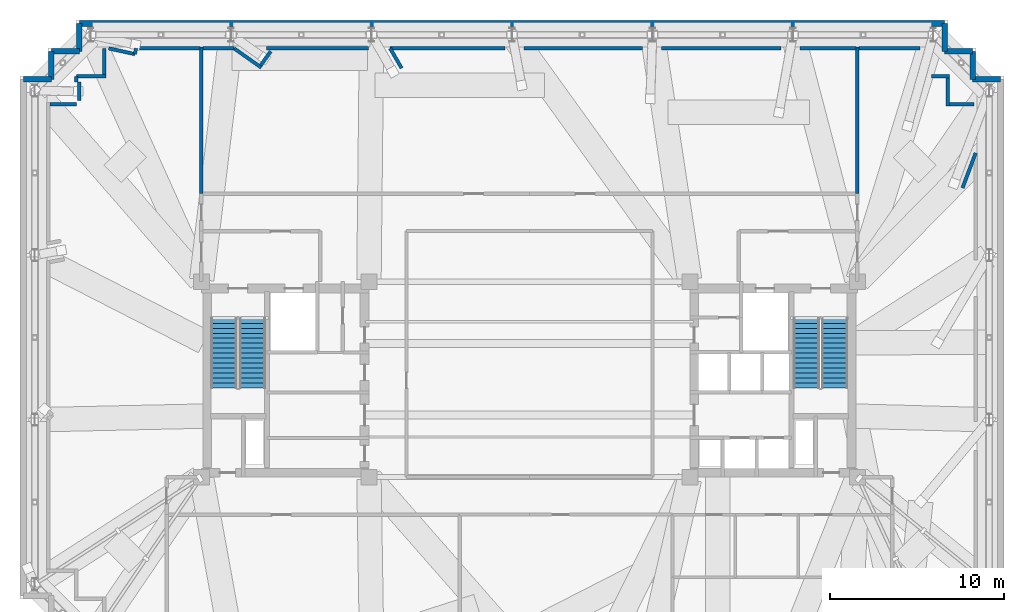
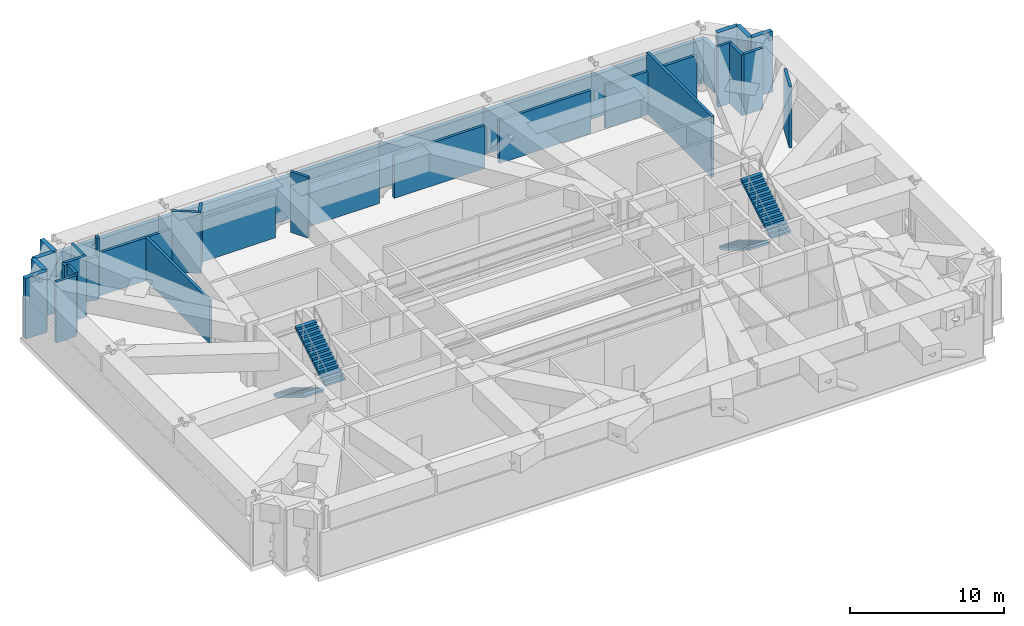
# One storey, part 16 of 18: 33 walls, 4 stair flights, 2 elements without a shape of their own.
"""IFC4 building model written with IfcOpenShell, lengths in metres."""

from ifc_helpers import new_model, si_unit, direction, frame, frame_2d, origin, place, context, subcontext, project, spatial, polyline, rectangle, outline, extrude, material, layer, layer_set, type_object, element, aggregate, save


model = new_model("IFC4")

# Units and contexts
model_context = context("Model", 3, precision=1e-05, world=origin(), true_north=direction((0.0, 1.0)))
body_context = subcontext(model_context, "Body", "Model", "MODEL_VIEW")
ifc_project = project(units=[si_unit("LENGTHUNIT", "METRE"), si_unit("AREAUNIT", "SQUARE_METRE"), si_unit("VOLUMEUNIT", "CUBIC_METRE"), si_unit("PLANEANGLEUNIT", "RADIAN"), si_unit("MASSUNIT", "GRAM", prefix="KILO")], contexts=[model_context])

# Site, building, storey
site_placement = place(None, origin())
site = spatial("IfcSite", under=ifc_project, at=site_placement, CompositionType="ELEMENT")
building_placement = place(site_placement, origin())
building = spatial("IfcBuilding", under=site, at=building_placement, Name="Qobustan Lattice House", CompositionType="ELEMENT")
storey_placement = place(building_placement, frame((0.0, 0.0, 174.550048828125)))
storey = spatial("IfcBuildingStorey", under=building, at=storey_placement, Name="L49", CompositionType="ELEMENT", Elevation=174.550048828125)

# Walls
ifc_material_1 = material(Name="Precast concrete C40/50", Category="concrete")
ifc_layer_1 = layer(ifc_material_1, 0.320068359375)
ifc_layer_set_1 = layer_set([ifc_layer_1], Name="Precast concrete C40/50")
wall_type_1 = type_object("IfcWallType", Name="WAL-EXT-STONE-320", PredefinedType="SOLIDWALL", material=ifc_layer_set_1)
for number, where, z_axis, x_axis, name in (
    (1, (-29.0, 17.199951171875, 0.0), (0.0, 0.0, 1.0), (1.0, 0.0, 0.0), "L49 exterior limestone-clad wall 6"),
    (2, (-27.39990234375, 17.199951171875, 0.0), (0.0, 0.0, 1.0), (0.0, 1.0, 0.0), "L49 exterior limestone-clad wall 7"),
):
    element("IfcWall", number, at=place(storey_placement, frame(where, z_axis=z_axis, x_axis=x_axis)), inside=storey, type_object=wall_type_1, Name=name, PredefinedType="SOLIDWALL", context=body_context, shape_type="SweptSolid", body=[
        extrude(rectangle(XDim=1.60009765625, YDim=0.320068359375, at=frame_2d((0.800048828125, 0.0))), origin(), (0.0, 0.0, 1.0), 4.820068359375),
    ])
for number, where, z_axis, x_axis, name in (
    (3, (-27.39990234375, 18.800048828125, 0.0), (0.0, 0.0, 1.0), (1.0, 0.0, 0.0), "L49 exterior limestone-clad wall 8"),
    (4, (-25.800048828125, 18.800048828125, 0.0), (0.0, 0.0, 1.0), (0.0, 1.0, 0.0), "L49 exterior limestone-clad wall 9"),
):
    element("IfcWall", number, at=place(storey_placement, frame(where, z_axis=z_axis, x_axis=x_axis)), inside=storey, type_object=wall_type_1, Name=name, PredefinedType="SOLIDWALL", context=body_context, shape_type="SweptSolid", body=[
        extrude(rectangle(XDim=1.599853515625, YDim=0.320068359375, at=frame_2d((0.7998046875, 0.0))), origin(), (0.0, 0.0, 1.0), 4.820068359375),
    ])
wall_1_placement = place(storey_placement, frame((-25.800048828125, 20.39990234375, 0.0), z_axis=(0.0, 0.0, 1.0), x_axis=(1.0, 0.0, 0.0)))
element("IfcWall", 5, at=wall_1_placement, inside=storey, type_object=wall_type_1, Name="L49 exterior limestone-clad wall 10", PredefinedType="SOLIDWALL", context=body_context, shape_type="SweptSolid", body=[
    extrude(rectangle(XDim=49.60009765625, YDim=0.320068359375, at=frame_2d((24.800048828125, 0.0))), origin(), (0.0, 0.0, 1.0), 3.405029296875),
])
wall_2_placement = place(storey_placement, frame((23.800048828125, 20.39990234375, 0.0), z_axis=(0.0, 0.0, 1.0), x_axis=(0.0, -1.0, 0.0)))
element("IfcWall", 6, at=wall_2_placement, inside=storey, type_object=wall_type_1, Name="L49 exterior limestone-clad wall 11", PredefinedType="SOLIDWALL", context=body_context, shape_type="SweptSolid", body=[
    extrude(rectangle(XDim=1.599853515625, YDim=0.320068359375, at=frame_2d((0.7998046875, 0.0))), origin(), (0.0, 0.0, 1.0), 3.405029296875),
])
wall_3_placement = place(storey_placement, frame((23.800048828125, 18.800048828125, 0.0), z_axis=(0.0, 0.0, 1.0), x_axis=(1.0, 0.0, 0.0)))
element("IfcWall", 7, at=wall_3_placement, inside=storey, type_object=wall_type_1, Name="L49 exterior limestone-clad wall 12", PredefinedType="SOLIDWALL", context=body_context, shape_type="SweptSolid", body=[
    extrude(rectangle(XDim=1.599853515625, YDim=0.320068359375, at=frame_2d((0.7998046875, 0.0))), origin(), (0.0, 0.0, 1.0), 4.820068359375),
])
for number, where, z_axis, x_axis, name in (
    (8, (25.39990234375, 18.800048828125, 0.0), (0.0, 0.0, 1.0), (0.0, -1.0, 0.0), "L49 exterior limestone-clad wall 13"),
    (9, (25.39990234375, 17.199951171875, 0.0), (0.0, 0.0, 1.0), (1.0, 0.0, 0.0), "L49 exterior limestone-clad wall 14"),
):
    element("IfcWall", number, at=place(storey_placement, frame(where, z_axis=z_axis, x_axis=x_axis)), inside=storey, type_object=wall_type_1, Name=name, PredefinedType="SOLIDWALL", context=body_context, shape_type="SweptSolid", body=[
        extrude(rectangle(XDim=1.60009765625, YDim=0.320068359375, at=frame_2d((0.800048828125, 0.0))), origin(), (0.0, 0.0, 1.0), 4.820068359375),
    ])
ifc_material_2 = material(Name="Two-hour gypsum fireboard acoustic partition", Category="gypsum")
ifc_layer_2 = layer(ifc_material_2, 0.199951171875)
ifc_layer_set_2 = layer_set([ifc_layer_2], Name="Two-hour gypsum fireboard acoustic partition")
wall_type_2 = type_object("IfcWallType", Name="WAL-PROT-200", PredefinedType="PARTITIONING", material=ifc_layer_set_2)
wall_4_placement = place(storey_placement, frame((-27.487060546875, 15.77490234375, 0.0), z_axis=(0.0, 0.0, 1.0), x_axis=(1.0, 0.0, 0.0)))
element("IfcWall", 10, at=wall_4_placement, inside=storey, type_object=wall_type_2, Name="L49 perimeter belt-truss plenum enclosure wall 4", PredefinedType="PARTITIONING", context=body_context, shape_type="SweptSolid", body=[
    extrude(rectangle(XDim=1.511962890625, YDim=0.199951171875, at=frame_2d((0.755859375, 0.0))), origin(), (0.0, 0.0, 1.0), 4.820068359375),
])
wall_5_placement = place(storey_placement, frame((-25.80712890625, 15.97802734375, 0.0), z_axis=(0.0, 0.0, 1.0), x_axis=(0.014603645621, 0.999893361081, 0.0)))
element("IfcWall", 11, at=wall_5_placement, inside=storey, type_object=wall_type_2, Name="L49 perimeter belt-truss plenum enclosure wall 5", PredefinedType="PARTITIONING", context=body_context, shape_type="SweptSolid", body=[
    extrude(rectangle(XDim=1.06982421875, YDim=0.199951171875, at=frame_2d((0.534912109375, 0.0))), origin(), (0.0, 0.0, 1.0), 4.820068359375),
])
wall_6_placement = place(storey_placement, frame((-25.97509765625, 17.050537109375, 0.0), z_axis=(0.0, 0.0, 1.0), x_axis=(0.0, 1.0, 0.0)))
element("IfcWall", 12, at=wall_6_placement, inside=storey, type_object=wall_type_2, Name="L49 perimeter belt-truss plenum enclosure wall 6", PredefinedType="PARTITIONING", context=body_context, shape_type="SweptSolid", body=[
    extrude(rectangle(XDim=0.324462890625, YDim=0.199951171875, at=frame_2d((0.162109375, 0.0))), origin(), (0.0, 0.0, 1.0), 4.820068359375),
])
wall_7_placement = place(storey_placement, frame((-25.97509765625, 17.375, 0.0), z_axis=(0.0, 0.0, 1.0), x_axis=(1.0, 0.0, 0.0)))
element("IfcWall", 13, at=wall_7_placement, inside=storey, type_object=wall_type_2, Name="L49 perimeter belt-truss plenum enclosure wall 7", PredefinedType="PARTITIONING", context=body_context, shape_type="SweptSolid", body=[
    extrude(rectangle(XDim=1.7001953125, YDim=0.199951171875, at=frame_2d((0.85009765625, 0.0))), origin(), (0.0, 0.0, 1.0), 4.820068359375),
])
wall_8_placement = place(storey_placement, frame((-24.375, 17.462890625, 0.0), z_axis=(0.0, 0.0, 1.0), x_axis=(0.0, 1.0, 0.0)))
element("IfcWall", 14, at=wall_8_placement, inside=storey, type_object=wall_type_2, Name="L49 perimeter belt-truss plenum enclosure wall 8", PredefinedType="PARTITIONING", context=body_context, shape_type="SweptSolid", body=[
    extrude(rectangle(XDim=1.51220703125, YDim=0.199951171875, at=frame_2d((0.756103515625, 0.0))), origin(), (0.0, 0.0, 1.0), 4.820068359375),
])
wall_9_placement = place(storey_placement, frame((-24.1171875, 18.97509765625, 0.0), z_axis=(0.0, 0.0, 1.0), x_axis=(0.976649141738, -0.214840531424, 0.0)))
element("IfcWall", 15, at=wall_9_placement, inside=storey, type_object=wall_type_2, Name="L49 perimeter belt-truss plenum enclosure wall 9", PredefinedType="PARTITIONING", context=body_context, shape_type="SweptSolid", body=[
    extrude(rectangle(XDim=1.5341796875, YDim=0.199951171875, at=frame_2d((0.76708984375, 0.0))), origin(), (0.0, 0.0, 1.0), 3.405029296875),
])
wall_10_placement = place(storey_placement, frame((-22.618896484375, 18.6455078125, 0.0), z_axis=(0.0, 0.0, 1.0), x_axis=(0.214861782675, 0.976644466705, 0.0)))
element("IfcWall", 16, at=wall_10_placement, inside=storey, type_object=wall_type_2, Name="L49 perimeter belt-truss plenum enclosure wall 10", PredefinedType="PARTITIONING", context=body_context, shape_type="SweptSolid", body=[
    extrude(rectangle(XDim=0.33740234375, YDim=0.199951171875, at=frame_2d((0.168701171875, 0.0))), origin(), (0.0, 0.0, 1.0), 4.820068359375),
])
wall_11_placement = place(storey_placement, frame((-22.54638671875, 18.97509765625, 0.0), z_axis=(0.0, 0.0, 1.0), x_axis=(1.0, 0.0, 0.0)))
element("IfcWall", 17, at=wall_11_placement, inside=storey, type_object=wall_type_2, Name="L49 perimeter belt-truss plenum enclosure wall 11", PredefinedType="PARTITIONING", context=body_context, shape_type="SweptSolid", body=[
    extrude(rectangle(XDim=3.67138671875, YDim=0.199951171875, at=frame_2d((1.835693359375, 0.0))), origin(), (0.0, 0.0, 1.0), 3.405029296875),
])
wall_12_placement = place(storey_placement, frame((-7.32470703125, 17.836669921875, 0.0), z_axis=(0.0, 0.0, 1.0), x_axis=(-0.500809424214, 0.865557577876, 0.0)))
element("IfcWall", 18, at=wall_12_placement, inside=storey, type_object=wall_type_2, Name="L49 perimeter belt-truss plenum enclosure wall 23", PredefinedType="PARTITIONING", context=body_context, shape_type="SweptSolid", body=[
    extrude(rectangle(XDim=1.315185546875, YDim=0.199951171875, at=frame_2d((0.65771484375, 0.0))), origin(), (0.0, 0.0, 1.0), 4.820068359375),
])
wall_13_placement = place(storey_placement, frame((-7.9833984375, 18.97509765625, 0.0), z_axis=(0.0, 0.0, 1.0), x_axis=(1.0, 0.0, 0.0)))
element("IfcWall", 19, at=wall_13_placement, inside=storey, type_object=wall_type_2, Name="L49 perimeter belt-truss plenum enclosure wall 24", PredefinedType="PARTITIONING", context=body_context, shape_type="SweptSolid", body=[
    extrude(rectangle(XDim=6.58642578125, YDim=0.199951171875, at=frame_2d((3.293212890625, 0.0))), origin(), (0.0, 0.0, 1.0), 3.405029296875),
])
wall_14_placement = place(storey_placement, frame((-0.3076171875, 18.97509765625, 0.0), z_axis=(0.0, 0.0, 1.0), x_axis=(1.0, 0.0, 0.0)))
element("IfcWall", 20, at=wall_14_placement, inside=storey, type_object=wall_type_2, Name="L49 perimeter belt-truss plenum enclosure wall 25", PredefinedType="PARTITIONING", context=body_context, shape_type="SweptSolid", body=[
    extrude(rectangle(XDim=6.79638671875, YDim=0.199951171875, at=frame_2d((3.398193359375, 0.0))), origin(), (0.0, 0.0, 1.0), 3.405029296875),
])
wall_15_placement = place(storey_placement, frame((7.559326171875, 18.97509765625, 0.0), z_axis=(0.0, 0.0, 1.0), x_axis=(1.0, 0.0, 0.0)))
element("IfcWall", 21, at=wall_15_placement, inside=storey, type_object=wall_type_2, Name="L49 perimeter belt-truss plenum enclosure wall 26", PredefinedType="PARTITIONING", context=body_context, shape_type="SweptSolid", body=[
    extrude(rectangle(XDim=6.858154296875, YDim=0.199951171875, at=frame_2d((3.42919921875, 0.0))), origin(), (0.0, 0.0, 1.0), 3.405029296875),
])
wall_16_placement = place(storey_placement, frame((15.50439453125, 18.97509765625, 0.0), z_axis=(0.0, 0.0, 1.0), x_axis=(1.0, 0.0, 0.0)))
element("IfcWall", 22, at=wall_16_placement, inside=storey, type_object=wall_type_2, Name="L49 perimeter belt-truss plenum enclosure wall 27", PredefinedType="PARTITIONING", context=body_context, shape_type="SweptSolid", body=[
    extrude(rectangle(XDim=3.220703125, YDim=0.199951171875, at=frame_2d((1.6103515625, 0.0))), origin(), (0.0, 0.0, 1.0), 3.405029296875),
])
wall_17_placement = place(storey_placement, frame((-18.72509765625, 18.97509765625, 0.0), z_axis=(0.0, 0.0, 1.0), x_axis=(1.0, 0.0, 0.0)))
element("IfcWall", 23, at=wall_17_placement, inside=storey, type_object=wall_type_2, Name="L49 perimeter belt-truss plenum enclosure wall 28", PredefinedType="PARTITIONING", context=body_context, shape_type="SweptSolid", body=[
    extrude(rectangle(XDim=1.794921875, YDim=0.199951171875, at=frame_2d((0.8974609375, 0.0))), origin(), (0.0, 0.0, 1.0), 3.405029296875),
])
wall_18_placement = place(storey_placement, frame((-16.93017578125, 18.97509765625, 0.0), z_axis=(0.0, 0.0, 1.0), x_axis=(0.816773381978, -0.576958614194, 0.0)))
element("IfcWall", 24, at=wall_18_placement, inside=storey, type_object=wall_type_2, Name="L49 perimeter belt-truss plenum enclosure wall 29", PredefinedType="PARTITIONING", context=body_context, shape_type="SweptSolid", body=[
    extrude(rectangle(XDim=1.913818359375, YDim=0.199951171875, at=frame_2d((0.95703125, 0.0))), origin(), (0.0, 0.0, 1.0), 4.820068359375),
])
wall_19_placement = place(storey_placement, frame((-15.397705078125, 18.00048828125, 0.0), z_axis=(0.0, 0.0, 1.0), x_axis=(0.576878429463, 0.81683001758, 0.0)))
element("IfcWall", 25, at=wall_19_placement, inside=storey, type_object=wall_type_2, Name="L49 perimeter belt-truss plenum enclosure wall 30", PredefinedType="PARTITIONING", context=body_context, shape_type="SweptSolid", body=[
    extrude(rectangle(XDim=0.98193359375, YDim=0.199951171875, at=frame_2d((0.490966796875, 0.0))), origin(), (0.0, 0.0, 1.0), 4.820068359375),
])
wall_20_placement = place(storey_placement, frame((-15.07568359375, 18.97509765625, 0.0), z_axis=(0.0, 0.0, 1.0), x_axis=(1.0, 0.0, 0.0)))
element("IfcWall", 26, at=wall_20_placement, inside=storey, type_object=wall_type_2, Name="L49 perimeter belt-truss plenum enclosure wall 31", PredefinedType="PARTITIONING", context=body_context, shape_type="SweptSolid", body=[
    extrude(rectangle(XDim=5.856201171875, YDim=0.199951171875, at=frame_2d((2.92822265625, 0.0))), origin(), (0.0, 0.0, 1.0), 3.405029296875),
])
wall_21_placement = place(storey_placement, frame((23.97509765625, 17.287109375, 0.0), z_axis=(0.0, 0.0, 1.0), x_axis=(0.0, -1.0, 0.0)))
element("IfcWall", 27, at=wall_21_placement, inside=storey, type_object=wall_type_2, Name="L49 perimeter belt-truss plenum enclosure wall 33", PredefinedType="PARTITIONING", context=body_context, shape_type="SweptSolid", body=[
    extrude(rectangle(XDim=1.612060546875, YDim=0.199951171875, at=frame_2d((0.80615234375, 0.0))), origin(), (0.0, 0.0, 1.0), 4.820068359375),
])
wall_22_placement = place(storey_placement, frame((24.06298828125, 15.77490234375, 0.0), z_axis=(0.0, 0.0, 1.0), x_axis=(1.0, 0.0, 0.0)))
element("IfcWall", 28, at=wall_22_placement, inside=storey, type_object=wall_type_2, Name="L49 perimeter belt-truss plenum enclosure wall 34", PredefinedType="PARTITIONING", context=body_context, shape_type="SweptSolid", body=[
    extrude(rectangle(XDim=1.423583984375, YDim=0.199951171875, at=frame_2d((0.7119140625, 0.0))), origin(), (0.0, 0.0, 1.0), 4.820068359375),
])
wall_23_placement = place(storey_placement, frame((24.8232421875, 10.9765625, 0.0), z_axis=(0.0, 0.0, 1.0), x_axis=(0.352314430892, 0.935881692195, 0.0)))
element("IfcWall", 29, at=wall_23_placement, inside=storey, type_object=wall_type_2, Name="L49 perimeter belt-truss plenum enclosure wall 35", PredefinedType="PARTITIONING", context=body_context, shape_type="SweptSolid", body=[
    extrude(rectangle(XDim=2.133544921875, YDim=0.199951171875, at=frame_2d((1.06689453125, 0.0))), origin(), (0.0, 0.0, 1.0), 4.820068359375),
])
wall_24_placement = place(storey_placement, frame((18.875, 18.97509765625, 0.0), z_axis=(0.0, 0.0, 1.0), x_axis=(1.0, 0.0, 0.0)))
element("IfcWall", 30, at=wall_24_placement, inside=storey, type_object=wall_type_2, Name="L49 perimeter belt-truss plenum enclosure wall 44", PredefinedType="PARTITIONING", context=body_context, shape_type="SweptSolid", body=[
    extrude(rectangle(XDim=3.5, YDim=0.199951171875, at=frame_2d((1.75, 0.0))), origin(), (0.0, 0.0, 1.0), 3.405029296875),
])
wall_25_placement = place(storey_placement, frame((23.036376953125, 17.375, 0.0), z_axis=(0.0, 0.0, 1.0), x_axis=(1.0, 0.0, 0.0)))
element("IfcWall", 31, at=wall_25_placement, inside=storey, type_object=wall_type_2, Name="L49 perimeter belt-truss plenum enclosure wall 45", PredefinedType="PARTITIONING", context=body_context, shape_type="SweptSolid", body=[
    extrude(rectangle(XDim=1.03857421875, YDim=0.199951171875, at=frame_2d((0.519287109375, 0.0))), origin(), (0.0, 0.0, 1.0), 4.820068359375),
])
wall_26_placement = place(storey_placement, frame((-18.800048828125, 19.050048828125, 0.0), z_axis=(0.0, 0.0, 1.0), x_axis=(0.0, -1.0, 0.0)))
element("IfcWall", 32, at=wall_26_placement, inside=storey, type_object=wall_type_2, Name="L49 interior partition 54", PredefinedType="PARTITIONING", context=body_context, shape_type="SweptSolid", body=[
    extrude(rectangle(XDim=8.400146484375, YDim=0.199951171875, at=frame_2d((4.2001953125, 0.0))), origin(), (0.0, 0.0, 1.0), 3.405029296875),
])
wall_27_placement = place(storey_placement, frame((18.800048828125, 10.64990234375, 0.0), z_axis=(0.0, 0.0, 1.0), x_axis=(0.0, 1.0, 0.0)))
element("IfcWall", 33, at=wall_27_placement, inside=storey, type_object=wall_type_2, Name="L49 interior partition 56", PredefinedType="PARTITIONING", context=body_context, shape_type="SweptSolid", body=[
    extrude(rectangle(XDim=8.400146484375, YDim=0.199951171875, at=frame_2d((4.2001953125, 0.0))), origin(), (0.0, 0.0, 1.0), 4.820068359375),
])

# Stair, stair flights
ifc_material_3 = material(Name="Concrete C40/50", Category="concrete")
stair_type = type_object("IfcStairType", Name="STR-CORE-DOGLEG", PredefinedType="HALF_TURN_STAIR", material=ifc_material_3)
stair_1_placement = place(storey_placement, origin())
stair_1 = element("IfcStair", 34, at=stair_1_placement, inside=storey, type_object=stair_type, Name="L49 West protected exit stair ST-W1", PredefinedType="HALF_TURN_STAIR")
ifc_material_4 = material(Name="Concrete C40/50", Category="concrete")
stair_flight_type = type_object("IfcStairFlightType", Name="SFL-RC-1500", PredefinedType="STRAIGHT", material=ifc_material_4)
stair_flight_1_placement = place(storey_placement, frame((-17.5, 3.5, 0.0), z_axis=(0.0, 0.0, 1.0), x_axis=(0.0, -1.0, 0.0)))
stair_flight_1 = element("IfcStairFlight", 35, at=stair_flight_1_placement, type_object=stair_flight_type, Name="ST-W1 flight 1", NumberOfRisers=15, NumberOfTreads=14, PredefinedType="STRAIGHT", RiserHeight=0.17, TreadLength=0.285, context=body_context, shape_type="SweptSolid", body=[
    extrude(outline(polyline([(0.0, 0.0), (0.0, 0.169921875), (0.284912109375, 0.169921875), (0.284912109375, 0.340087890625), (0.570068359375, 0.340087890625), (0.570068359375, 0.510009765625), (0.85498046875, 0.510009765625), (0.85498046875, 0.679931640625), (1.139892578125, 0.679931640625), (1.139892578125, 0.85009765625), (1.425048828125, 0.85009765625), (1.425048828125, 1.02001953125), (1.7099609375, 1.02001953125), (1.7099609375, 1.18994140625), (1.9951171875, 1.18994140625), (1.9951171875, 1.360107421875), (2.280029296875, 1.360107421875), (2.280029296875, 1.530029296875), (2.56494140625, 1.530029296875), (2.56494140625, 1.699951171875), (2.85009765625, 1.699951171875), (2.85009765625, 1.8701171875), (3.135009765625, 1.8701171875), (3.135009765625, 2.0400390625), (3.419921875, 2.0400390625), (3.419921875, 2.2099609375), (3.705078125, 2.2099609375), (3.705078125, 2.3798828125), (3.989990234375, 2.3798828125), (3.989990234375, 2.550048828125), (3.989990234375, 2.20556640625), (0.292724609375, 0.0), (0.0, 0.0)])), frame((0.0, 0.75, 0.0), z_axis=(0.0, -1.0, 0.0), x_axis=(1.0, 0.0, 0.0)), (0.0, 0.0, 1.0), 1.5),
])
stair_flight_2_placement = place(storey_placement, frame((-15.8798828125, -0.489990234375, 2.550048828125), z_axis=(0.0, 0.0, 1.0), x_axis=(0.0, 1.0, 0.0)))
stair_flight_2 = element("IfcStairFlight", 36, at=stair_flight_2_placement, type_object=stair_flight_type, Name="ST-W1 flight 2", NumberOfRisers=15, NumberOfTreads=14, PredefinedType="STRAIGHT", RiserHeight=0.17, TreadLength=0.285, context=body_context, shape_type="SweptSolid", body=[
    extrude(outline(polyline([(0.0, 0.0), (0.0, 0.169921875), (0.284912109375, 0.169921875), (0.284912109375, 0.340087890625), (0.570068359375, 0.340087890625), (0.570068359375, 0.510009765625), (0.85498046875, 0.510009765625), (0.85498046875, 0.679931640625), (1.139892578125, 0.679931640625), (1.139892578125, 0.85009765625), (1.425048828125, 0.85009765625), (1.425048828125, 1.02001953125), (1.7099609375, 1.02001953125), (1.7099609375, 1.18994140625), (1.9951171875, 1.18994140625), (1.9951171875, 1.360107421875), (2.280029296875, 1.360107421875), (2.280029296875, 1.530029296875), (2.56494140625, 1.530029296875), (2.56494140625, 1.699951171875), (2.85009765625, 1.699951171875), (2.85009765625, 1.8701171875), (3.135009765625, 1.8701171875), (3.135009765625, 2.0400390625), (3.419921875, 2.0400390625), (3.419921875, 2.2099609375), (3.705078125, 2.2099609375), (3.705078125, 2.3798828125), (3.989990234375, 2.3798828125), (3.989990234375, 2.550048828125), (3.989990234375, 2.20556640625), (0.292724609375, 0.0), (0.0, 0.0)])), frame((0.0, 0.75, 0.0), z_axis=(0.0, -1.0, 0.0), x_axis=(1.0, 0.0, 0.0)), (0.0, 0.0, 1.0), 1.5),
])
aggregate(stair_1, [stair_flight_1, stair_flight_2])

stair_2_placement = place(storey_placement, origin())
stair_2 = element("IfcStair", 37, at=stair_2_placement, inside=storey, type_object=stair_type, Name="L49 East protected exit stair ST-E1", PredefinedType="HALF_TURN_STAIR")
stair_flight_3_placement = place(storey_placement, frame((15.8798828125, 3.5, 0.0), z_axis=(0.0, 0.0, 1.0), x_axis=(0.0, -1.0, 0.0)))
stair_flight_3 = element("IfcStairFlight", 38, at=stair_flight_3_placement, type_object=stair_flight_type, Name="ST-E1 flight 1", NumberOfRisers=15, NumberOfTreads=14, PredefinedType="STRAIGHT", RiserHeight=0.17, TreadLength=0.285, context=body_context, shape_type="SweptSolid", body=[
    extrude(outline(polyline([(0.0, 0.0), (0.0, 0.169921875), (0.284912109375, 0.169921875), (0.284912109375, 0.340087890625), (0.570068359375, 0.340087890625), (0.570068359375, 0.510009765625), (0.85498046875, 0.510009765625), (0.85498046875, 0.679931640625), (1.139892578125, 0.679931640625), (1.139892578125, 0.85009765625), (1.425048828125, 0.85009765625), (1.425048828125, 1.02001953125), (1.7099609375, 1.02001953125), (1.7099609375, 1.18994140625), (1.9951171875, 1.18994140625), (1.9951171875, 1.360107421875), (2.280029296875, 1.360107421875), (2.280029296875, 1.530029296875), (2.56494140625, 1.530029296875), (2.56494140625, 1.699951171875), (2.85009765625, 1.699951171875), (2.85009765625, 1.8701171875), (3.135009765625, 1.8701171875), (3.135009765625, 2.0400390625), (3.419921875, 2.0400390625), (3.419921875, 2.2099609375), (3.705078125, 2.2099609375), (3.705078125, 2.3798828125), (3.989990234375, 2.3798828125), (3.989990234375, 2.550048828125), (3.989990234375, 2.20556640625), (0.292724609375, 0.0), (0.0, 0.0)])), frame((0.0, 0.75, 0.0), z_axis=(0.0, -1.0, 0.0), x_axis=(1.0, 0.0, 0.0)), (0.0, 0.0, 1.0), 1.5),
])
stair_flight_4_placement = place(storey_placement, frame((17.5, -0.489990234375, 2.550048828125), z_axis=(0.0, 0.0, 1.0), x_axis=(0.0, 1.0, 0.0)))
stair_flight_4 = element("IfcStairFlight", 39, at=stair_flight_4_placement, type_object=stair_flight_type, Name="ST-E1 flight 2", NumberOfRisers=15, NumberOfTreads=14, PredefinedType="STRAIGHT", RiserHeight=0.17, TreadLength=0.285, context=body_context, shape_type="SweptSolid", body=[
    extrude(outline(polyline([(0.0, 0.0), (0.0, 0.169921875), (0.284912109375, 0.169921875), (0.284912109375, 0.340087890625), (0.570068359375, 0.340087890625), (0.570068359375, 0.510009765625), (0.85498046875, 0.510009765625), (0.85498046875, 0.679931640625), (1.139892578125, 0.679931640625), (1.139892578125, 0.85009765625), (1.425048828125, 0.85009765625), (1.425048828125, 1.02001953125), (1.7099609375, 1.02001953125), (1.7099609375, 1.18994140625), (1.9951171875, 1.18994140625), (1.9951171875, 1.360107421875), (2.280029296875, 1.360107421875), (2.280029296875, 1.530029296875), (2.56494140625, 1.530029296875), (2.56494140625, 1.699951171875), (2.85009765625, 1.699951171875), (2.85009765625, 1.8701171875), (3.135009765625, 1.8701171875), (3.135009765625, 2.0400390625), (3.419921875, 2.0400390625), (3.419921875, 2.2099609375), (3.705078125, 2.2099609375), (3.705078125, 2.3798828125), (3.989990234375, 2.3798828125), (3.989990234375, 2.550048828125), (3.989990234375, 2.20556640625), (0.292724609375, 0.0), (0.0, 0.0)])), frame((0.0, 0.75, 0.0), z_axis=(0.0, -1.0, 0.0), x_axis=(1.0, 0.0, 0.0)), (0.0, 0.0, 1.0), 1.5),
])
aggregate(stair_2, [stair_flight_3, stair_flight_4])

save(model, "model.ifc")
